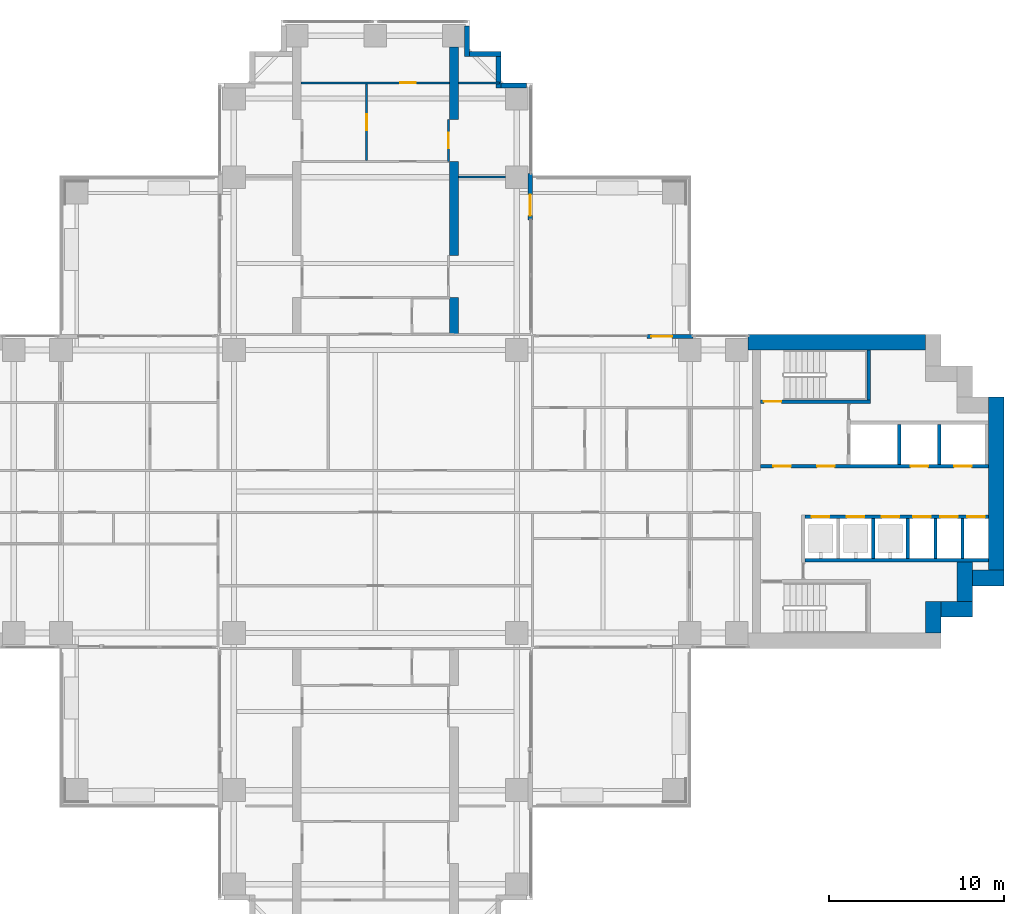
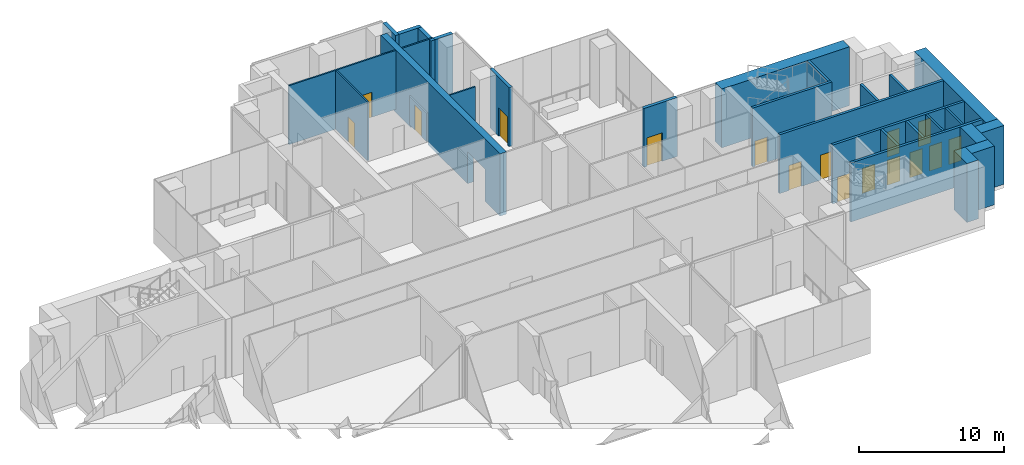
# One storey, part 11 of 17: 29 walls, 16 doors, 16 openings.
"""IFC4 building model written with IfcOpenShell, lengths in metres."""

import ifcopenshell
import ifcopenshell.guid

model = None  # the IFC model being written
_history = None  # IfcOwnerHistory: only IFC2X3 demands one
_inside = {}  # id of a spatial element -> (the spatial element, [elements in it])
_under = {}  # id of a project, library or spatial element -> (it, [spatial elements below it])
_declared = {}  # id of a project -> (the project, [libraries it declares])
_typed = {}  # id of a type object -> (the type object, [elements of that type])
_made_of = {}  # id of a material, layer set ... -> (it, [elements and type objects made of it])


def new_model(schema):
    """Start an empty IFC model of exactly this schema.

    Asked for "IFC4X3", IfcOpenShell would pick the latest addendum, in which some entities
    have other attributes; the version numbers below select the first issue.
    IFC2X3 requires an IfcOwnerHistory on every rooted entity: one is made here for all.
    """
    global model, _history
    if schema == "IFC4X3":
        model = ifcopenshell.file(schema_version=(4, 3, 0, 0))
    else:
        model = ifcopenshell.file(schema=schema)
    _inside.clear()
    _under.clear()
    _declared.clear()
    _typed.clear()
    _made_of.clear()
    _history = None
    if model.schema == "IFC2X3":
        org = make("IfcOrganization", Name="unknown")
        user = make(
            "IfcPersonAndOrganization",
            ThePerson=make("IfcPerson", FamilyName="unknown"),
            TheOrganization=org,
        )
        app = make(
            "IfcApplication",
            ApplicationDeveloper=org,
            Version="unknown",
            ApplicationFullName="unknown",
            ApplicationIdentifier="unknown",
        )
        _history = make(
            "IfcOwnerHistory",
            OwningUser=user,
            OwningApplication=app,
            ChangeAction="ADDED",
            CreationDate=0,
        )
    return model


def make(cls, **values):
    """One entity of the class cls with the attributes given. An attribute that is None is left unset."""
    return model.create_entity(
        cls, **{name: value for name, value in values.items() if value is not None}
    )


def rooted(cls, **values):
    """An entity with a GlobalId (a new one), such as an element, a storey or a relation."""
    return make(cls, GlobalId=ifcopenshell.guid.new(), OwnerHistory=_history, **values)


def si_unit(unit_type, name, prefix=None):
    """IfcSIUnit, for example si_unit("LENGTHUNIT", "METRE", prefix="MILLI")."""
    return make("IfcSIUnit", UnitType=unit_type, Prefix=prefix, Name=name)


def assignment(units):
    """IfcUnitAssignment: the units of a project."""
    return None if units is None else make("IfcUnitAssignment", Units=units)


def point(xyz):
    """IfcCartesianPoint."""
    return None if xyz is None else make("IfcCartesianPoint", Coordinates=xyz)


def direction(xyz):
    """IfcDirection."""
    return None if xyz is None else make("IfcDirection", DirectionRatios=xyz)


def frame(location, z_axis=None, x_axis=None):
    """IfcAxis2Placement3D, a coordinate frame: its origin and axes. An axis left out is left unset."""
    return make(
        "IfcAxis2Placement3D",
        Location=point(location),
        Axis=direction(z_axis),
        RefDirection=direction(x_axis),
    )


def frame_2d(location, x_axis=None):
    """IfcAxis2Placement2D, a coordinate frame in the plane: its origin and x axis."""
    return make(
        "IfcAxis2Placement2D", Location=point(location), RefDirection=direction(x_axis)
    )


def origin():
    """The frame at (0, 0, 0) with its axes left unset."""
    return frame((0.0, 0.0, 0.0))


def place(relative_to, where):
    """IfcLocalPlacement: puts the frame where relative to a parent placement (None: the world)."""
    return make(
        "IfcLocalPlacement", PlacementRelTo=relative_to, RelativePlacement=where
    )


def context(
    kind, dimensions, precision=None, world=None, true_north=None, identifier=None
):
    """IfcGeometricRepresentationContext, for example the 3D "Model" context."""
    return make(
        "IfcGeometricRepresentationContext",
        ContextIdentifier=identifier,
        ContextType=kind,
        CoordinateSpaceDimension=dimensions,
        Precision=precision,
        WorldCoordinateSystem=world,
        TrueNorth=true_north,
    )


def subcontext(parent, identifier, kind, view, scale=None):
    """IfcGeometricRepresentationSubContext, for example "Body" below "Model"."""
    return make(
        "IfcGeometricRepresentationSubContext",
        ContextIdentifier=identifier,
        ContextType=kind,
        ParentContext=parent,
        TargetScale=scale,
        TargetView=view,
    )


def project(units=None, contexts=None):
    """IfcProject with its units and contexts."""
    return rooted(
        "IfcProject",
        Name="project",
        RepresentationContexts=contexts,
        UnitsInContext=assignment(units),
    )


def spatial(cls, under=None, at=None, **own):
    """A site, building, storey or space (cls), placed at a placement, below another one or the project."""
    s = rooted(cls, ObjectPlacement=at, **own)
    if under is not None:
        _under.setdefault(under.id(), (under, []))[1].append(s)
    return s


def polyline(points):
    """IfcPolyline through the points."""
    return make("IfcPolyline", Points=[point(p) for p in points])


def profile(cls, at=None, kind="AREA", **sizes):
    """A parametric profile (cls). Its sizes go by their IFC names, for example OverallWidth=200.0."""
    return make(cls, ProfileType=kind, Position=at, **sizes)


def rectangle(**sizes):
    """IfcRectangleProfileDef."""
    return profile("IfcRectangleProfileDef", **sizes)


def outline(outer, holes=None, kind="AREA"):
    """IfcArbitraryClosedProfileDef: a profile drawn as a closed curve; with holes, ...WithVoids."""
    if holes is None:
        return make("IfcArbitraryClosedProfileDef", ProfileType=kind, OuterCurve=outer)
    return make(
        "IfcArbitraryProfileDefWithVoids",
        ProfileType=kind,
        OuterCurve=outer,
        InnerCurves=holes,
    )


def extrude(swept, where, along, depth):
    """IfcExtrudedAreaSolid: the profile swept, set in the frame where, extruded along a direction by depth."""
    return make(
        "IfcExtrudedAreaSolid",
        SweptArea=swept,
        Position=where,
        ExtrudedDirection=direction(along),
        Depth=depth,
    )


def shape(context_of_items, identifier, shape_type, items):
    """IfcShapeRepresentation: the items that make up one representation, for example the "Body"."""
    return make(
        "IfcShapeRepresentation",
        ContextOfItems=context_of_items,
        RepresentationIdentifier=identifier,
        RepresentationType=shape_type,
        Items=items,
    )


def material(Name=None, Category=None):
    """IfcMaterial."""
    return make("IfcMaterial", Name=Name, Category=Category)


def layer(
    of_material, thickness, ventilated=None, Name=None, Category=None, Priority=None
):
    """IfcMaterialLayer: one layer of a wall or slab, of a material (None: an air gap)."""
    return make(
        "IfcMaterialLayer",
        Material=of_material,
        LayerThickness=thickness,
        IsVentilated=ventilated,
        Name=Name,
        Category=Category,
        Priority=Priority,
    )


def layer_set(layers, Name=None):
    """IfcMaterialLayerSet."""
    return make("IfcMaterialLayerSet", MaterialLayers=layers, LayerSetName=Name)


def material_profile(
    of_material, cross_section, Name=None, Category=None, Priority=None
):
    """IfcMaterialProfile: a cross section and its material."""
    return make(
        "IfcMaterialProfile",
        Name=Name,
        Material=of_material,
        Profile=cross_section,
        Priority=Priority,
        Category=Category,
    )


def profile_set(profiles, Name=None, composite=None):
    """IfcMaterialProfileSet."""
    return make(
        "IfcMaterialProfileSet",
        Name=Name,
        MaterialProfiles=profiles,
        CompositeProfile=composite,
    )


def made_of(thing, what):
    """Note that an element or type object is made of a material, layer set ...; save() writes the relation."""
    if what is not None:
        _made_of.setdefault(what.id(), (what, []))[1].append(thing)
    return thing


def type_object(cls, material=None, **own):
    """A type object (cls), such as IfcWallType, which elements share."""
    return made_of(rooted(cls, **own), material)


def element(
    cls,
    number,
    at=None,
    inside=None,
    cuts=None,
    type_object=None,
    material=None,
    context=None,
    identifier="Body",
    shape_type=None,
    held_by="IfcProductDefinitionShape",
    body=None,
    shapes=None,
    **own,
):
    """One element of the class cls, such as IfcWall. Its Tag is "e" and its number.

    at: its placement. inside: the storey or other place that contains it. cuts: it is an
    opening in that element (IfcRelVoidsElement). A single representation is given by context,
    identifier, shape_type and body (its items); several are given by shapes. held_by: the class
    of the entity that holds the representations. save() writes the other relations.
    """
    e = rooted(cls, Tag="e%d" % number, ObjectPlacement=at, **own)
    if body is not None:
        shapes = [shape(context, identifier, shape_type, body)]
    if shapes is not None:
        e.Representation = make(held_by, Representations=shapes)
    if inside is not None:
        _inside.setdefault(inside.id(), (inside, []))[1].append(e)
    if cuts is not None:
        rooted(
            "IfcRelVoidsElement", RelatingBuildingElement=cuts, RelatedOpeningElement=e
        )
    if type_object is not None:
        _typed.setdefault(type_object.id(), (type_object, []))[1].append(e)
    return made_of(e, material)


def fill(opening, filler):
    """IfcRelFillsElement: the door or window that sits in an opening."""
    return rooted(
        "IfcRelFillsElement",
        RelatingOpeningElement=opening,
        RelatedBuildingElement=filler,
    )


def aggregate(whole, parts):
    """IfcRelAggregates: a whole, such as a stair, and the parts it consists of."""
    return rooted("IfcRelAggregates", RelatingObject=whole, RelatedObjects=parts)


def save(model, path):
    """Write the relations noted so far, then the file.

    IfcRelAggregates (storeys below a building ...), IfcRelContainedInSpatialStructure (elements
    in a storey), IfcRelDefinesByType, IfcRelAssociatesMaterial and IfcRelDeclares: one each for
    every whole, place, type object, material and project.
    """
    for whole, parts in _under.values():
        aggregate(whole, parts)
    for where, things in _inside.values():
        rooted(
            "IfcRelContainedInSpatialStructure",
            RelatedElements=things,
            RelatingStructure=where,
        )
    for kind, things in _typed.values():
        rooted("IfcRelDefinesByType", RelatedObjects=things, RelatingType=kind)
    for what, things in _made_of.values():
        rooted("IfcRelAssociatesMaterial", RelatedObjects=things, RelatingMaterial=what)
    for by, libraries in _declared.values():
        rooted("IfcRelDeclares", RelatingContext=by, RelatedDefinitions=libraries)
    model.write(path)


model = new_model("IFC4")

# Units and contexts
model_context = context("Model", 3, precision=1e-05, world=origin(), true_north=direction((0.0, 1.0)))
body_context = subcontext(model_context, "Body", "Model", "MODEL_VIEW")
ifc_project = project(units=[si_unit("LENGTHUNIT", "METRE"), si_unit("AREAUNIT", "SQUARE_METRE"), si_unit("VOLUMEUNIT", "CUBIC_METRE"), si_unit("PLANEANGLEUNIT", "RADIAN"), si_unit("MASSUNIT", "GRAM", prefix="KILO")], contexts=[model_context])

# Site, building, storey
site_placement = place(None, origin())
site = spatial("IfcSite", under=ifc_project, at=site_placement, CompositionType="ELEMENT")
building_placement = place(site_placement, origin())
building = spatial("IfcBuilding", under=site, at=building_placement, Name="Perihelion Cross Residences", CompositionType="ELEMENT")
storey_placement = place(building_placement, frame((0.0, 0.0, 92.5)))
storey = spatial("IfcBuildingStorey", under=building, at=storey_placement, Name="L21", CompositionType="ELEMENT", Elevation=92.5)

# Wall, opening, door
ifc_material_1 = material(Name="Concrete C30/37, bronze-clad", Category="concrete")
ifc_layer_1 = layer(ifc_material_1, 0.25)
ifc_layer_set_1 = layer_set([ifc_layer_1], Name="Bronze-clad pier wall 250")
wall_type_1 = type_object("IfcWallType", Name="Bronze-clad pier wall 250", PredefinedType="SOLIDWALL", material=ifc_layer_set_1)
wall_1_placement = place(storey_placement, frame((18.199951171875, 8.875, 0.0), z_axis=(0.0, 0.0, 1.0), x_axis=(-1.0, 0.0, 0.0)))
wall_1 = element("IfcWall", 1, at=wall_1_placement, inside=storey, type_object=wall_type_1, Name="Wall FW1 L21 east side north bay 2 pier", PredefinedType="SOLIDWALL", context=body_context, shape_type="SweptSolid", body=[
    extrude(rectangle(XDim=2.64990234375, YDim=0.25, at=frame_2d((1.324951171875, 0.0))), origin(), (0.0, 0.0, 1.0), 4.949951171875),
])
opening_1_placement = place(wall_1_placement, frame((1.199951171875, 0.0, 0.0)))
opening_1 = element("IfcOpeningElement", 2, at=opening_1_placement, cuts=wall_1, Name="Opening L21.E01", PredefinedType="OPENING", context=body_context, shape_type="SweptSolid", body=[
    extrude(rectangle(XDim=1.199951171875, YDim=2.39990234375, at=frame_2d((0.60009765625, 1.199951171875))), frame((0.0, 0.135009765625, 0.0), z_axis=(0.0, -1.0, 0.0), x_axis=(1.0, 0.0, 0.0)), (0.0, 0.0, 1.0), 0.27001953125),
])
ifc_material_2 = material(Name="Bronze anodised aluminium, glazed", Category="aluminium")
door_type_1 = type_object("IfcDoorType", Name="Balcony door 1200 x 2400", OperationType="NOTDEFINED", PredefinedType="DOOR", material=ifc_material_2)
door_1_placement = place(opening_1_placement, origin())
door_1 = element("IfcDoor", 3, at=door_1_placement, inside=storey, type_object=door_type_1, Name="Door L21.E01 east side north bay 2", OperationType="SINGLE_SWING_RIGHT", OverallHeight=2.39990234375, OverallWidth=1.199951171875, PredefinedType="DOOR", context=body_context, shape_type="SweptSolid", body=[
    extrude(rectangle(XDim=1.199951171875, YDim=2.39990234375, at=frame_2d((0.60009765625, 1.199951171875))), frame((0.0, 0.02490234375, 0.0), z_axis=(0.0, -1.0, 0.0), x_axis=(1.0, 0.0, 0.0)), (0.0, 0.0, 1.0), 0.050048828125),
])
fill(opening_1, door_1)

wall_2_placement = place(storey_placement, frame((8.875, 15.550048828125, 0.0), z_axis=(0.0, 0.0, 1.0), x_axis=(0.0, 1.0, 0.0)))
wall_2 = element("IfcWall", 4, at=wall_2_placement, inside=storey, type_object=wall_type_1, Name="Wall FW1 L21 north side east bay 1 pier", PredefinedType="SOLIDWALL", context=body_context, shape_type="SweptSolid", body=[
    extrude(rectangle(XDim=2.64990234375, YDim=0.25, at=frame_2d((1.324951171875, 0.0))), origin(), (0.0, 0.0, 1.0), 4.949951171875),
])
opening_2_placement = place(wall_2_placement, frame((0.25, 0.0, 0.0)))
opening_2 = element("IfcOpeningElement", 5, at=opening_2_placement, cuts=wall_2, Name="Opening L21.E02", PredefinedType="OPENING", context=body_context, shape_type="SweptSolid", body=[
    extrude(rectangle(XDim=1.199951171875, YDim=2.39990234375, at=frame_2d((0.60009765625, 1.199951171875))), frame((0.0, 0.135009765625, 0.0), z_axis=(0.0, -1.0, 0.0), x_axis=(1.0, 0.0, 0.0)), (0.0, 0.0, 1.0), 0.27001953125),
])
door_2_placement = place(opening_2_placement, origin())
door_2 = element("IfcDoor", 6, at=door_2_placement, inside=storey, type_object=door_type_1, Name="Door L21.E02 north side east bay 1", OperationType="SINGLE_SWING_LEFT", OverallHeight=2.39990234375, OverallWidth=1.199951171875, PredefinedType="DOOR", context=body_context, shape_type="SweptSolid", body=[
    extrude(rectangle(XDim=1.199951171875, YDim=2.39990234375, at=frame_2d((0.60009765625, 1.199951171875))), frame((0.0, 0.02490234375, 0.0), z_axis=(0.0, -1.0, 0.0), x_axis=(1.0, 0.0, 0.0)), (0.0, 0.0, 1.0), 0.050048828125),
])
fill(opening_2, door_2)

# Walls
ifc_material_3 = material(Name="Concrete C30/37, bronze-clad", Category="concrete")
ifc_layer_2 = layer(ifc_material_3, 0.300048828125)
ifc_layer_set_2 = layer_set([ifc_layer_2], Name="Bronze-clad serration wall 300")
wall_type_2 = type_object("IfcWallType", Name="Bronze-clad serration wall 300", PredefinedType="SOLIDWALL", material=ifc_layer_set_2)
wall_3_placement = place(storey_placement, frame((8.64990234375, 23.25, 0.0), z_axis=(0.0, 0.0, 1.0), x_axis=(-1.0, 0.0, 0.0)))
element("IfcWall", 7, at=wall_3_placement, inside=storey, type_object=wall_type_2, Name="Wall SR1 L21 north corner north-east 1", PredefinedType="SOLIDWALL", context=body_context, shape_type="SweptSolid", body=[
    extrude(rectangle(XDim=1.449951171875, YDim=0.300048828125, at=frame_2d((0.72509765625, 0.0))), origin(), (0.0, 0.0, 1.0), 4.949951171875),
])
wall_4_placement = place(storey_placement, frame((7.050048828125, 23.10009765625, 0.0), z_axis=(0.0, 0.0, 1.0), x_axis=(0.0, 1.0, 0.0)))
element("IfcWall", 8, at=wall_4_placement, inside=storey, type_object=wall_type_2, Name="Wall SR1 L21 north corner north-east 2", PredefinedType="SOLIDWALL", context=body_context, shape_type="SweptSolid", body=[
    extrude(rectangle(XDim=1.7998046875, YDim=0.300048828125, at=frame_2d((0.89990234375, 0.0))), origin(), (0.0, 0.0, 1.0), 4.949951171875),
])
wall_5_placement = place(storey_placement, frame((7.199951171875, 25.050048828125, 0.0), z_axis=(0.0, 0.0, 1.0), x_axis=(-1.0, 0.0, 0.0)))
element("IfcWall", 9, at=wall_5_placement, inside=storey, type_object=wall_type_2, Name="Wall SR1 L21 north corner north-east 3", PredefinedType="SOLIDWALL", context=body_context, shape_type="SweptSolid", body=[
    extrude(rectangle(XDim=1.800048828125, YDim=0.300048828125, at=frame_2d((0.89990234375, 0.0))), origin(), (0.0, 0.0, 1.0), 4.949951171875),
])
wall_6_placement = place(storey_placement, frame((5.25, 24.89990234375, 0.0), z_axis=(0.0, 0.0, 1.0), x_axis=(0.0, 1.0, 0.0)))
element("IfcWall", 10, at=wall_6_placement, inside=storey, type_object=wall_type_2, Name="Wall SR1 L21 north corner north-east 4", PredefinedType="SOLIDWALL", context=body_context, shape_type="SweptSolid", body=[
    extrude(rectangle(XDim=1.75, YDim=0.300048828125, at=frame_2d((0.875, 0.0))), origin(), (0.0, 0.0, 1.0), 4.949951171875),
])
ifc_material_4 = material(Name="Concrete C60/75", Category="concrete")
ifc_layer_3 = layer(ifc_material_4, 0.89990234375)
ifc_layer_set_3 = layer_set([ifc_layer_3], Name="Core wall, outer 900")
wall_type_3 = type_object("IfcWallType", Name="Core wall, outer 900", PredefinedType="SHEAR", material=ifc_layer_set_3)
for number, where, z_axis, x_axis, name in (
    (11, (31.949951171875, -8.10009765625, 0.0), (0.0, 0.0, 1.0), (0.0, 1.0, 0.0), "East core core wall, outer"),
    (12, (32.39990234375, -6.75, 0.0), (0.0, 0.0, 1.0), (1.0, 0.0, 0.0), "East core core wall, outer"),
):
    element("IfcWall", number, at=place(storey_placement, frame(where, z_axis=z_axis, x_axis=x_axis)), inside=storey, type_object=wall_type_3, Name=name, PredefinedType="SHEAR", context=body_context, shape_type="SweptSolid", body=[
        extrude(rectangle(XDim=1.800048828125, YDim=0.89990234375, at=frame_2d((0.89990234375, 0.0))), origin(), (0.0, 0.0, 1.0), 4.949951171875),
    ])
wall_7_placement = place(storey_placement, frame((33.75, -6.300048828125, 0.0), z_axis=(0.0, 0.0, 1.0), x_axis=(0.0, 1.0, 0.0)))
element("IfcWall", 13, at=wall_7_placement, inside=storey, type_object=wall_type_3, Name="East core core wall, outer", PredefinedType="SHEAR", context=body_context, shape_type="SweptSolid", body=[
    extrude(rectangle(XDim=2.25, YDim=0.89990234375, at=frame_2d((1.125, 0.0))), origin(), (0.0, 0.0, 1.0), 4.949951171875),
])
wall_8_placement = place(storey_placement, frame((34.199951171875, -4.949951171875, 0.0), z_axis=(0.0, 0.0, 1.0), x_axis=(1.0, 0.0, 0.0)))
element("IfcWall", 14, at=wall_8_placement, inside=storey, type_object=wall_type_3, Name="East core core wall, outer", PredefinedType="SHEAR", context=body_context, shape_type="SweptSolid", body=[
    extrude(rectangle(XDim=1.800048828125, YDim=0.89990234375, at=frame_2d((0.89990234375, 0.0))), origin(), (0.0, 0.0, 1.0), 4.949951171875),
])
wall_9_placement = place(storey_placement, frame((35.550048828125, -4.5, 0.0), z_axis=(0.0, 0.0, 1.0), x_axis=(0.0, 1.0, 0.0)))
element("IfcWall", 15, at=wall_9_placement, inside=storey, type_object=wall_type_3, Name="East core core wall, outer", PredefinedType="SHEAR", context=body_context, shape_type="SweptSolid", body=[
    extrude(rectangle(XDim=9.89990234375, YDim=0.89990234375, at=frame_2d((4.949951171875, 0.0))), origin(), (0.0, 0.0, 1.0), 4.949951171875),
])
wall_10_placement = place(storey_placement, frame((21.35009765625, 8.550048828125, 0.0), z_axis=(0.0, 0.0, 1.0), x_axis=(1.0, 0.0, 0.0)))
element("IfcWall", 16, at=wall_10_placement, inside=storey, type_object=wall_type_3, Name="East core core wall, outer", PredefinedType="SHEAR", context=body_context, shape_type="SweptSolid", body=[
    extrude(rectangle(XDim=10.14990234375, YDim=0.89990234375, at=frame_2d((5.074951171875, 0.0))), origin(), (0.0, 0.0, 1.0), 4.949951171875),
])

# Wall, opening, door
ifc_material_5 = material(Name="Plasterboard partition")
ifc_layer_4 = layer(ifc_material_5, 0.1201171875)
ifc_layer_set_4 = layer_set([ifc_layer_4], Name="Infill panel 120")
wall_type_4 = type_object("IfcWallType", Name="Infill panel 120", PredefinedType="PARTITIONING", material=ifc_layer_set_4)
wall_11_placement = place(storey_placement, frame((4.18994140625, 18.89990234375, 0.0), z_axis=(0.0, 0.0, 1.0), x_axis=(0.0, 1.0, 0.0)))
wall_11 = element("IfcWall", 17, at=wall_11_placement, inside=storey, type_object=wall_type_4, Name="Partition L21 WI02", PredefinedType="PARTITIONING", context=body_context, shape_type="SweptSolid", body=[
    extrude(rectangle(XDim=2.400146484375, YDim=0.1201171875, at=frame_2d((1.2001953125, 0.0))), origin(), (0.0, 0.0, 1.0), 2.39990234375),
])
opening_3_placement = place(wall_11_placement, frame((0.75, 0.0, 0.0)))
opening_3 = element("IfcOpeningElement", 18, at=opening_3_placement, cuts=wall_11, Name="Opening L21.A37", PredefinedType="OPENING", context=body_context, shape_type="SweptSolid", body=[
    extrude(rectangle(XDim=0.89990234375, YDim=2.10009765625, at=frame_2d((0.449951171875, 1.050048828125))), frame((0.0, 0.070068359375, 0.0), z_axis=(0.0, -1.0, 0.0), x_axis=(1.0, 0.0, 0.0)), (0.0, 0.0, 1.0), 0.14013671875),
])
ifc_material_6 = material(Name="Timber door leaf", Category="wood")
door_type_2 = type_object("IfcDoorType", Name="Interior room door 900 x 2100", OperationType="SINGLE_SWING_LEFT", PredefinedType="DOOR", material=ifc_material_6)
door_3_placement = place(opening_3_placement, origin())
door_3 = element("IfcDoor", 19, at=door_3_placement, inside=storey, type_object=door_type_2, Name="Door L21.A37", OperationType="SINGLE_SWING_LEFT", OverallHeight=2.10009765625, OverallWidth=0.89990234375, PredefinedType="DOOR", context=body_context, shape_type="SweptSolid", body=[
    extrude(rectangle(XDim=0.89990234375, YDim=2.10009765625, at=frame_2d((0.449951171875, 1.050048828125))), frame((0.0, 0.02490234375, 0.0), z_axis=(0.0, -1.0, 0.0), x_axis=(1.0, 0.0, 0.0)), (0.0, 0.0, 1.0), 0.050048828125),
])
fill(opening_3, door_3)

ifc_material_7 = material(Name="Plasterboard partition")
ifc_layer_5 = layer(ifc_material_7, 0.1201171875)
ifc_layer_set_5 = layer_set([ifc_layer_5], Name="Partition wall 120")
wall_type_5 = type_object("IfcWallType", Name="Partition wall 120", PredefinedType="PARTITIONING", material=ifc_layer_set_5)
wall_12_placement = place(storey_placement, frame((-0.5, 18.9599609375, 0.0), z_axis=(0.0, 0.0, 1.0), x_axis=(0.0, 1.0, 0.0)))
wall_12 = element("IfcWall", 20, at=wall_12_placement, inside=storey, type_object=wall_type_5, Name="Partition L21 W042", PredefinedType="PARTITIONING", context=body_context, shape_type="SweptSolid", body=[
    extrude(rectangle(XDim=4.380126953125, YDim=0.1201171875, at=frame_2d((2.18994140625, 0.0))), origin(), (0.0, 0.0, 1.0), 4.949951171875),
])
opening_4_placement = place(wall_12_placement, frame((1.739990234375, 0.0, 0.0)))
opening_4 = element("IfcOpeningElement", 21, at=opening_4_placement, cuts=wall_12, Name="Opening L21.A28", PredefinedType="OPENING", context=body_context, shape_type="SweptSolid", body=[
    extrude(rectangle(XDim=0.89990234375, YDim=2.10009765625, at=frame_2d((0.449951171875, 1.050048828125))), frame((0.0, 0.070068359375, 0.0), z_axis=(0.0, -1.0, 0.0), x_axis=(1.0, 0.0, 0.0)), (0.0, 0.0, 1.0), 0.14013671875),
])
door_4_placement = place(opening_4_placement, origin())
door_4 = element("IfcDoor", 22, at=door_4_placement, inside=storey, type_object=door_type_2, Name="Door L21.A28", OperationType="SINGLE_SWING_RIGHT", OverallHeight=2.10009765625, OverallWidth=0.89990234375, PredefinedType="DOOR", context=body_context, shape_type="SweptSolid", body=[
    extrude(rectangle(XDim=0.89990234375, YDim=2.10009765625, at=frame_2d((0.449951171875, 1.050048828125))), frame((0.0, 0.02490234375, 0.0), z_axis=(0.0, -1.0, 0.0), x_axis=(1.0, 0.0, 0.0)), (0.0, 0.0, 1.0), 0.050048828125),
])
fill(opening_4, door_4)

wall_13_placement = place(storey_placement, frame((-4.25, 23.39990234375, 0.0), z_axis=(0.0, 0.0, 1.0), x_axis=(1.0, 0.0, 0.0)))
wall_13 = element("IfcWall", 23, at=wall_13_placement, inside=storey, type_object=wall_type_5, Name="Partition L21 W043", PredefinedType="PARTITIONING", context=body_context, shape_type="SweptSolid", body=[
    extrude(rectangle(XDim=8.5, YDim=0.1201171875, at=frame_2d((4.25, 0.0))), origin(), (0.0, 0.0, 1.0), 4.949951171875),
])
opening_5_placement = place(wall_13_placement, frame((5.675048828125, 0.0, 0.0)))
opening_5 = element("IfcOpeningElement", 24, at=opening_5_placement, cuts=wall_13, Name="Opening L21.A29", PredefinedType="OPENING", context=body_context, shape_type="SweptSolid", body=[
    extrude(rectangle(XDim=0.89990234375, YDim=2.10009765625, at=frame_2d((0.449951171875, 1.050048828125))), frame((0.0, 0.070068359375, 0.0), z_axis=(0.0, -1.0, 0.0), x_axis=(1.0, 0.0, 0.0)), (0.0, 0.0, 1.0), 0.14013671875),
])
door_5_placement = place(opening_5_placement, origin())
door_5 = element("IfcDoor", 25, at=door_5_placement, inside=storey, type_object=door_type_2, Name="Door L21.A29", OperationType="SINGLE_SWING_LEFT", OverallHeight=2.10009765625, OverallWidth=0.89990234375, PredefinedType="DOOR", context=body_context, shape_type="SweptSolid", body=[
    extrude(rectangle(XDim=0.89990234375, YDim=2.10009765625, at=frame_2d((0.449951171875, 1.050048828125))), frame((0.0, 0.02490234375, 0.0), z_axis=(0.0, -1.0, 0.0), x_axis=(1.0, 0.0, 0.0)), (0.0, 0.0, 1.0), 0.050048828125),
])
fill(opening_5, door_5)

# Walls
wall_14_placement = place(storey_placement, frame((4.75, 18.0, 0.0), z_axis=(0.0, 0.0, 1.0), x_axis=(1.0, 0.0, 0.0)))
element("IfcWall", 26, at=wall_14_placement, inside=storey, type_object=wall_type_5, Name="Partition L21 W044", PredefinedType="PARTITIONING", context=body_context, shape_type="SweptSolid", body=[
    extrude(rectangle(XDim=2.699951171875, YDim=0.1201171875, at=frame_2d((1.35009765625, 0.0))), origin(), (0.0, 0.0, 1.0), 4.0458984375),
])
wall_15_placement = place(storey_placement, frame((4.75, 23.39990234375, 0.0), z_axis=(0.0, 0.0, 1.0), x_axis=(1.0, 0.0, 0.0)))
element("IfcWall", 27, at=wall_15_placement, inside=storey, type_object=wall_type_5, Name="Partition L21 W045", PredefinedType="PARTITIONING", context=body_context, shape_type="SweptSolid", body=[
    extrude(rectangle(XDim=2.3701171875, YDim=0.1201171875, at=frame_2d((1.18505859375, 0.0))), origin(), (0.0, 0.0, 1.0), 4.949951171875),
])
ifc_material_8 = material(Name="Concrete C50/60", Category="concrete")
ifc_layer_6 = layer(ifc_material_8, 0.14990234375)
ifc_layer_set_6 = layer_set([ifc_layer_6], Name="Shaft wall 150")
wall_type_6 = type_object("IfcWallType", Name="Shaft wall 150", PredefinedType="SOLIDWALL", material=ifc_layer_set_6)
for number, where, z_axis, x_axis, name in (
    (28, (32.074951171875, -3.85009765625, 0.0), (0.0, 0.0, 1.0), (0.0, 1.0, 0.0), "East core shaft wall"),
    (29, (33.625, -3.85009765625, 0.0), (0.0, 0.0, 1.0), (0.0, 1.0, 0.0), "East core shaft wall"),
):
    element("IfcWall", number, at=place(storey_placement, frame(where, z_axis=z_axis, x_axis=x_axis)), inside=storey, type_object=wall_type_6, Name=name, PredefinedType="SOLIDWALL", context=body_context, shape_type="SweptSolid", body=[
        extrude(rectangle(XDim=2.300048828125, YDim=0.14990234375, at=frame_2d((1.14990234375, 0.0))), origin(), (0.0, 0.0, 1.0), 4.949951171875),
    ])

# Wall, openings, doors
ifc_material_9 = material(Name="Concrete C50/60", Category="concrete")
ifc_layer_7 = layer(ifc_material_9, 0.199951171875)
ifc_layer_set_7 = layer_set([ifc_layer_7], Name="Shaft wall 200")
wall_type_7 = type_object("IfcWallType", Name="Shaft wall 200", PredefinedType="SOLIDWALL", material=ifc_layer_set_7)
wall_16_placement = place(storey_placement, frame((22.050048828125, 1.449951171875, 0.0), z_axis=(0.0, 0.0, 1.0), x_axis=(1.0, 0.0, 0.0)))
wall_16 = element("IfcWall", 30, at=wall_16_placement, inside=storey, type_object=wall_type_7, Name="East core shaft wall", PredefinedType="SOLIDWALL", context=body_context, shape_type="SweptSolid", body=[
    extrude(rectangle(XDim=13.050048828125, YDim=0.199951171875, at=frame_2d((6.52490234375, 0.0))), origin(), (0.0, 0.0, 1.0), 4.949951171875),
])
opening_6_placement = place(wall_16_placement, frame((8.60009765625, 0.0, 0.0)))
opening_6 = element("IfcOpeningElement", 31, at=opening_6_placement, cuts=wall_16, Name="Opening L21.C05", PredefinedType="OPENING", context=body_context, shape_type="SweptSolid", body=[
    extrude(rectangle(XDim=1.0, YDim=2.10009765625, at=frame_2d((0.5, 1.050048828125))), frame((0.0, 0.10986328125, 0.0), z_axis=(0.0, -1.0, 0.0), x_axis=(1.0, 0.0, 0.0)), (0.0, 0.0, 1.0), 0.219970703125),
])
opening_7_placement = place(wall_16_placement, frame((11.10009765625, 0.0, 0.0)))
opening_7 = element("IfcOpeningElement", 32, at=opening_7_placement, cuts=wall_16, Name="Opening L21.C08", PredefinedType="OPENING", context=body_context, shape_type="SweptSolid", body=[
    extrude(rectangle(XDim=1.0, YDim=2.10009765625, at=frame_2d((0.5, 1.050048828125))), frame((0.0, 0.10986328125, 0.0), z_axis=(0.0, -1.0, 0.0), x_axis=(1.0, 0.0, 0.0)), (0.0, 0.0, 1.0), 0.219970703125),
])
opening_8_placement = place(wall_16_placement, frame((0.75, 0.0, 0.0)))
opening_8 = element("IfcOpeningElement", 33, at=opening_8_placement, cuts=wall_16, Name="Opening L21.C12", PredefinedType="OPENING", context=body_context, shape_type="SweptSolid", body=[
    extrude(rectangle(XDim=1.0, YDim=2.10009765625, at=frame_2d((0.5, 1.050048828125))), frame((0.0, 0.10986328125, 0.0), z_axis=(0.0, -1.0, 0.0), x_axis=(1.0, 0.0, 0.0)), (0.0, 0.0, 1.0), 0.219970703125),
])
opening_9_placement = place(wall_16_placement, frame((3.25, 0.0, 0.0)))
opening_9 = element("IfcOpeningElement", 34, at=opening_9_placement, cuts=wall_16, Name="Opening L21.C14", PredefinedType="OPENING", context=body_context, shape_type="SweptSolid", body=[
    extrude(rectangle(XDim=1.0, YDim=2.10009765625, at=frame_2d((0.5, 1.050048828125))), frame((0.0, 0.10986328125, 0.0), z_axis=(0.0, -1.0, 0.0), x_axis=(1.0, 0.0, 0.0)), (0.0, 0.0, 1.0), 0.219970703125),
])
ifc_material_10 = material(Name="Stainless steel", Category="steel")
door_type_3 = type_object("IfcDoorType", Name="Landing door 1000", OperationType="DOUBLE_DOOR_SLIDING", PredefinedType="DOOR", material=ifc_material_10)
door_6_placement = place(opening_6_placement, origin())
door_6 = element("IfcDoor", 35, at=door_6_placement, inside=storey, type_object=door_type_3, Name="Landing door, East core shuttle lift 1", OperationType="DOUBLE_DOOR_SLIDING", OverallHeight=2.10009765625, OverallWidth=1.0, PredefinedType="DOOR", context=body_context, shape_type="SweptSolid", body=[
    extrude(rectangle(XDim=1.0, YDim=2.10009765625, at=frame_2d((0.5, 1.050048828125))), frame((0.0, 0.02490234375, 0.0), z_axis=(0.0, -1.0, 0.0), x_axis=(1.0, 0.0, 0.0)), (0.0, 0.0, 1.0), 0.050048828125),
])
fill(opening_6, door_6)
door_7_placement = place(opening_7_placement, origin())
door_7 = element("IfcDoor", 36, at=door_7_placement, inside=storey, type_object=door_type_3, Name="Landing door, East core shuttle lift 2", OperationType="DOUBLE_DOOR_SLIDING", OverallHeight=2.10009765625, OverallWidth=1.0, PredefinedType="DOOR", context=body_context, shape_type="SweptSolid", body=[
    extrude(rectangle(XDim=1.0, YDim=2.10009765625, at=frame_2d((0.5, 1.050048828125))), frame((0.0, 0.02490234375, 0.0), z_axis=(0.0, -1.0, 0.0), x_axis=(1.0, 0.0, 0.0)), (0.0, 0.0, 1.0), 0.050048828125),
])
fill(opening_7, door_7)
ifc_material_11 = material(Name="Steel, powder coated", Category="steel")
door_type_4 = type_object("IfcDoorType", Name="Lobby door 1000", OperationType="SINGLE_SWING_LEFT", PredefinedType="DOOR", material=ifc_material_11)
door_8_placement = place(opening_8_placement, origin())
door_8 = element("IfcDoor", 37, at=door_8_placement, inside=storey, type_object=door_type_4, Name="East core firefighting lobby door", OperationType="SINGLE_SWING_LEFT", OverallHeight=2.10009765625, OverallWidth=1.0, PredefinedType="DOOR", context=body_context, shape_type="SweptSolid", body=[
    extrude(rectangle(XDim=1.0, YDim=2.10009765625, at=frame_2d((0.5, 1.050048828125))), frame((0.0, 0.02490234375, 0.0), z_axis=(0.0, -1.0, 0.0), x_axis=(1.0, 0.0, 0.0)), (0.0, 0.0, 1.0), 0.050048828125),
])
fill(opening_8, door_8)
door_9_placement = place(opening_9_placement, origin())
door_9 = element("IfcDoor", 38, at=door_9_placement, inside=storey, type_object=door_type_4, Name="East core firefighting lobby door", OperationType="SINGLE_SWING_LEFT", OverallHeight=2.10009765625, OverallWidth=1.0, PredefinedType="DOOR", context=body_context, shape_type="SweptSolid", body=[
    extrude(rectangle(XDim=1.0, YDim=2.10009765625, at=frame_2d((0.5, 1.050048828125))), frame((0.0, 0.02490234375, 0.0), z_axis=(0.0, -1.0, 0.0), x_axis=(1.0, 0.0, 0.0)), (0.0, 0.0, 1.0), 0.050048828125),
])
fill(opening_9, door_9)

wall_17_placement = place(storey_placement, frame((24.60009765625, -1.449951171875, 0.0), z_axis=(0.0, 0.0, 1.0), x_axis=(1.0, 0.0, 0.0)))
wall_17 = element("IfcWall", 39, at=wall_17_placement, inside=storey, type_object=wall_type_7, Name="East core shaft wall", PredefinedType="SOLIDWALL", context=body_context, shape_type="SweptSolid", body=[
    extrude(rectangle(XDim=10.5, YDim=0.199951171875, at=frame_2d((5.25, 0.0))), origin(), (0.0, 0.0, 1.0), 4.949951171875),
])
opening_10_placement = place(wall_17_placement, frame((0.39990234375, 0.0, 0.0)))
opening_10 = element("IfcOpeningElement", 40, at=opening_10_placement, cuts=wall_17, Name="Opening L21.C01", PredefinedType="OPENING", context=body_context, shape_type="SweptSolid", body=[
    extrude(rectangle(XDim=1.0, YDim=2.10009765625, at=frame_2d((0.5, 1.050048828125))), frame((0.0, 0.10986328125, 0.0), z_axis=(0.0, -1.0, 0.0), x_axis=(1.0, 0.0, 0.0)), (0.0, 0.0, 1.0), 0.219970703125),
])
opening_11_placement = place(wall_17_placement, frame((2.39990234375, 0.0, 0.0)))
opening_11 = element("IfcOpeningElement", 41, at=opening_11_placement, cuts=wall_17, Name="Opening L21.C03", PredefinedType="OPENING", context=body_context, shape_type="SweptSolid", body=[
    extrude(rectangle(XDim=1.0, YDim=2.10009765625, at=frame_2d((0.5, 1.050048828125))), frame((0.0, 0.10986328125, 0.0), z_axis=(0.0, -1.0, 0.0), x_axis=(1.0, 0.0, 0.0)), (0.0, 0.0, 1.0), 0.219970703125),
])
opening_12_placement = place(wall_17_placement, frame((4.39990234375, 0.0, 0.0)))
opening_12 = element("IfcOpeningElement", 42, at=opening_12_placement, cuts=wall_17, Name="Opening L21.C04", PredefinedType="OPENING", context=body_context, shape_type="SweptSolid", body=[
    extrude(rectangle(XDim=1.0, YDim=2.10009765625, at=frame_2d((0.5, 1.050048828125))), frame((0.0, 0.10986328125, 0.0), z_axis=(0.0, -1.0, 0.0), x_axis=(1.0, 0.0, 0.0)), (0.0, 0.0, 1.0), 0.219970703125),
])
opening_13_placement = place(wall_17_placement, frame((6.199951171875, 0.0, 0.0)))
opening_13 = element("IfcOpeningElement", 43, at=opening_13_placement, cuts=wall_17, Name="Opening L21.C06", PredefinedType="OPENING", context=body_context, shape_type="SweptSolid", body=[
    extrude(rectangle(XDim=1.0, YDim=2.10009765625, at=frame_2d((0.5, 1.050048828125))), frame((0.0, 0.10986328125, 0.0), z_axis=(0.0, -1.0, 0.0), x_axis=(1.0, 0.0, 0.0)), (0.0, 0.0, 1.0), 0.219970703125),
])
opening_14_placement = place(wall_17_placement, frame((7.75, 0.0, 0.0)))
opening_14 = element("IfcOpeningElement", 44, at=opening_14_placement, cuts=wall_17, Name="Opening L21.C07", PredefinedType="OPENING", context=body_context, shape_type="SweptSolid", body=[
    extrude(rectangle(XDim=1.0, YDim=2.10009765625, at=frame_2d((0.5, 1.050048828125))), frame((0.0, 0.10986328125, 0.0), z_axis=(0.0, -1.0, 0.0), x_axis=(1.0, 0.0, 0.0)), (0.0, 0.0, 1.0), 0.219970703125),
])
opening_15_placement = place(wall_17_placement, frame((9.300048828125, 0.0, 0.0)))
opening_15 = element("IfcOpeningElement", 45, at=opening_15_placement, cuts=wall_17, Name="Opening L21.C09", PredefinedType="OPENING", context=body_context, shape_type="SweptSolid", body=[
    extrude(rectangle(XDim=1.0, YDim=2.10009765625, at=frame_2d((0.5, 1.050048828125))), frame((0.0, 0.10986328125, 0.0), z_axis=(0.0, -1.0, 0.0), x_axis=(1.0, 0.0, 0.0)), (0.0, 0.0, 1.0), 0.219970703125),
])
door_10_placement = place(opening_10_placement, origin())
door_10 = element("IfcDoor", 46, at=door_10_placement, inside=storey, type_object=door_type_3, Name="Landing door, East core high-rise lift 1", OperationType="DOUBLE_DOOR_SLIDING", OverallHeight=2.10009765625, OverallWidth=1.0, PredefinedType="DOOR", context=body_context, shape_type="SweptSolid", body=[
    extrude(rectangle(XDim=1.0, YDim=2.10009765625, at=frame_2d((0.5, 1.050048828125))), frame((0.0, 0.02490234375, 0.0), z_axis=(0.0, -1.0, 0.0), x_axis=(1.0, 0.0, 0.0)), (0.0, 0.0, 1.0), 0.050048828125),
])
fill(opening_10, door_10)
door_11_placement = place(opening_11_placement, origin())
door_11 = element("IfcDoor", 47, at=door_11_placement, inside=storey, type_object=door_type_3, Name="Landing door, East core high-rise lift 2", OperationType="DOUBLE_DOOR_SLIDING", OverallHeight=2.10009765625, OverallWidth=1.0, PredefinedType="DOOR", context=body_context, shape_type="SweptSolid", body=[
    extrude(rectangle(XDim=1.0, YDim=2.10009765625, at=frame_2d((0.5, 1.050048828125))), frame((0.0, 0.02490234375, 0.0), z_axis=(0.0, -1.0, 0.0), x_axis=(1.0, 0.0, 0.0)), (0.0, 0.0, 1.0), 0.050048828125),
])
fill(opening_11, door_11)
door_12_placement = place(opening_12_placement, origin())
door_12 = element("IfcDoor", 48, at=door_12_placement, inside=storey, type_object=door_type_3, Name="Landing door, East core high-rise lift 3", OperationType="DOUBLE_DOOR_SLIDING", OverallHeight=2.10009765625, OverallWidth=1.0, PredefinedType="DOOR", context=body_context, shape_type="SweptSolid", body=[
    extrude(rectangle(XDim=1.0, YDim=2.10009765625, at=frame_2d((0.5, 1.050048828125))), frame((0.0, 0.02490234375, 0.0), z_axis=(0.0, -1.0, 0.0), x_axis=(1.0, 0.0, 0.0)), (0.0, 0.0, 1.0), 0.050048828125),
])
fill(opening_12, door_12)
door_13_placement = place(opening_13_placement, origin())
door_13 = element("IfcDoor", 49, at=door_13_placement, inside=storey, type_object=door_type_3, Name="Landing door, East core low-rise lift 1", OperationType="DOUBLE_DOOR_SLIDING", OverallHeight=2.10009765625, OverallWidth=1.0, PredefinedType="DOOR", context=body_context, shape_type="SweptSolid", body=[
    extrude(rectangle(XDim=1.0, YDim=2.10009765625, at=frame_2d((0.5, 1.050048828125))), frame((0.0, 0.02490234375, 0.0), z_axis=(0.0, -1.0, 0.0), x_axis=(1.0, 0.0, 0.0)), (0.0, 0.0, 1.0), 0.050048828125),
])
fill(opening_13, door_13)
door_14_placement = place(opening_14_placement, origin())
door_14 = element("IfcDoor", 50, at=door_14_placement, inside=storey, type_object=door_type_3, Name="Landing door, East core low-rise lift 2", OperationType="DOUBLE_DOOR_SLIDING", OverallHeight=2.10009765625, OverallWidth=1.0, PredefinedType="DOOR", context=body_context, shape_type="SweptSolid", body=[
    extrude(rectangle(XDim=1.0, YDim=2.10009765625, at=frame_2d((0.5, 1.050048828125))), frame((0.0, 0.02490234375, 0.0), z_axis=(0.0, -1.0, 0.0), x_axis=(1.0, 0.0, 0.0)), (0.0, 0.0, 1.0), 0.050048828125),
])
fill(opening_14, door_14)
door_15_placement = place(opening_15_placement, origin())
door_15 = element("IfcDoor", 51, at=door_15_placement, inside=storey, type_object=door_type_3, Name="Landing door, East core low-rise lift 3", OperationType="DOUBLE_DOOR_SLIDING", OverallHeight=2.10009765625, OverallWidth=1.0, PredefinedType="DOOR", context=body_context, shape_type="SweptSolid", body=[
    extrude(rectangle(XDim=1.0, YDim=2.10009765625, at=frame_2d((0.5, 1.050048828125))), frame((0.0, 0.02490234375, 0.0), z_axis=(0.0, -1.0, 0.0), x_axis=(1.0, 0.0, 0.0)), (0.0, 0.0, 1.0), 0.050048828125),
])
fill(opening_15, door_15)

# Walls
wall_18_placement = place(storey_placement, frame((24.60009765625, -3.949951171875, 0.0), z_axis=(0.0, 0.0, 1.0), x_axis=(1.0, 0.0, 0.0)))
element("IfcWall", 52, at=wall_18_placement, inside=storey, type_object=wall_type_7, Name="East core shaft wall", PredefinedType="SOLIDWALL", context=body_context, shape_type="SweptSolid", body=[
    extrude(rectangle(XDim=10.5, YDim=0.199951171875, at=frame_2d((5.25, 0.0))), origin(), (0.0, 0.0, 1.0), 4.949951171875),
])
for number, where, z_axis, x_axis, name in (
    (53, (30.0, 1.550048828125, 0.0), (0.0, 0.0, 1.0), (0.0, 1.0, 0.0), "East core shaft wall"),
    (54, (32.300048828125, 1.550048828125, 0.0), (0.0, 0.0, 1.0), (0.0, 1.0, 0.0), "East core shaft wall"),
    (55, (28.5, -3.85009765625, 0.0), (0.0, 0.0, 1.0), (0.0, 1.0, 0.0), "East core shaft wall"),
    (56, (30.5, -3.85009765625, 0.0), (0.0, 0.0, 1.0), (0.0, 1.0, 0.0), "East core shaft wall"),
):
    element("IfcWall", number, at=place(storey_placement, frame(where, z_axis=z_axis, x_axis=x_axis)), inside=storey, type_object=wall_type_7, Name=name, PredefinedType="SOLIDWALL", context=body_context, shape_type="SweptSolid", body=[
        extrude(rectangle(XDim=2.300048828125, YDim=0.199951171875, at=frame_2d((1.14990234375, 0.0))), origin(), (0.0, 0.0, 1.0), 4.949951171875),
    ])

# Wall, opening, door
ifc_material_12 = material(Name="Concrete C50/60", Category="concrete")
ifc_layer_8 = layer(ifc_material_12, 0.199951171875)
ifc_layer_set_8 = layer_set([ifc_layer_8], Name="Stair wall 200")
wall_type_8 = type_object("IfcWallType", Name="Stair wall 200", PredefinedType="SOLIDWALL", material=ifc_layer_set_8)
wall_19_placement = place(storey_placement, frame((22.050048828125, 5.14990234375, 0.0), z_axis=(0.0, 0.0, 1.0), x_axis=(1.0, 0.0, 0.0)))
wall_19 = element("IfcWall", 57, at=wall_19_placement, inside=storey, type_object=wall_type_8, Name="East core stair wall", PredefinedType="SOLIDWALL", context=body_context, shape_type="SweptSolid", body=[
    extrude(rectangle(XDim=6.300048828125, YDim=0.199951171875, at=frame_2d((3.14990234375, 0.0))), origin(), (0.0, 0.0, 1.0), 4.949951171875),
])
opening_16_placement = place(wall_19_placement, frame((0.199951171875, 0.0, 0.0)))
opening_16 = element("IfcOpeningElement", 58, at=opening_16_placement, cuts=wall_19, Name="Opening L21.C11", PredefinedType="OPENING", context=body_context, shape_type="SweptSolid", body=[
    extrude(rectangle(XDim=1.0, YDim=2.10009765625, at=frame_2d((0.5, 1.050048828125))), frame((0.0, 0.10986328125, 0.0), z_axis=(0.0, -1.0, 0.0), x_axis=(1.0, 0.0, 0.0)), (0.0, 0.0, 1.0), 0.219970703125),
])
ifc_material_13 = material(Name="Steel, powder coated", Category="steel")
door_type_5 = type_object("IfcDoorType", Name="Stair door 1000", OperationType="SINGLE_SWING_LEFT", PredefinedType="DOOR", material=ifc_material_13)
door_16_placement = place(opening_16_placement, origin())
door_16 = element("IfcDoor", 59, at=door_16_placement, inside=storey, type_object=door_type_5, Name="East core stair door", OperationType="SINGLE_SWING_LEFT", OverallHeight=2.10009765625, OverallWidth=1.0, PredefinedType="DOOR", context=body_context, shape_type="SweptSolid", body=[
    extrude(rectangle(XDim=1.0, YDim=2.10009765625, at=frame_2d((0.5, 1.050048828125))), frame((0.0, 0.02490234375, 0.0), z_axis=(0.0, -1.0, 0.0), x_axis=(1.0, 0.0, 0.0)), (0.0, 0.0, 1.0), 0.050048828125),
])
fill(opening_16, door_16)

# Walls
wall_20_placement = place(storey_placement, frame((28.25, 5.25, 0.0), z_axis=(0.0, 0.0, 1.0), x_axis=(0.0, 1.0, 0.0)))
element("IfcWall", 60, at=wall_20_placement, inside=storey, type_object=wall_type_8, Name="East core stair wall", PredefinedType="SOLIDWALL", context=body_context, shape_type="SweptSolid", body=[
    extrude(rectangle(XDim=2.85009765625, YDim=0.199951171875, at=frame_2d((1.425048828125, 0.0))), origin(), (0.0, 0.0, 1.0), 4.949951171875),
])
ifc_material_14 = material(Name="Concrete C60/75", Category="concrete")
ifc_material_profile = material_profile(ifc_material_14, outline(polyline([(0.0, 0.0), (2.10009765625, 0.0), (2.10009765625, 2.699951171875), (4.5, 2.699951171875), (4.5, 0.0), (9.89990234375, 0.0), (9.89990234375, 2.699951171875), (12.300048828125, 2.699951171875), (12.300048828125, 0.0), (16.449951171875, 0.0), (16.449951171875, 5.25), (0.0, 5.25), (0.0, 0.0)])), Name="Tip spine wall")
ifc_profile_set = profile_set([ifc_material_profile], Name="Concrete C60/75")
wall_type_9 = type_object("IfcWallType", Name="Tip spine wall 500 with 2 door openings 16450 long 5250 high concrete C60/75 hand B", PredefinedType="SHEAR", material=ifc_profile_set)
wall_21_placement = place(storey_placement, frame((4.25, 9.0, -0.300048828125), z_axis=(1.0, 0.0, 0.0), x_axis=(0.0, 1.0, 0.0)))
element("IfcWall", 61, at=wall_21_placement, inside=storey, type_object=wall_type_9, Name="Shear wall SW29 L21 north east", PredefinedType="SHEAR", context=body_context, shape_type="SweptSolid", body=[
    extrude(outline(polyline([(0.0, 0.0), (2.10009765625, 0.0), (2.10009765625, 2.699951171875), (4.5, 2.699951171875), (4.5, 0.0), (9.89990234375, 0.0), (9.89990234375, 2.699951171875), (12.300048828125, 2.699951171875), (12.300048828125, 0.0), (16.449951171875, 0.0), (16.449951171875, 5.25), (0.0, 5.25), (0.0, 0.0)])), origin(), (0.0, 0.0, 1.0), 0.5),
])

save(model, "model.ifc")
